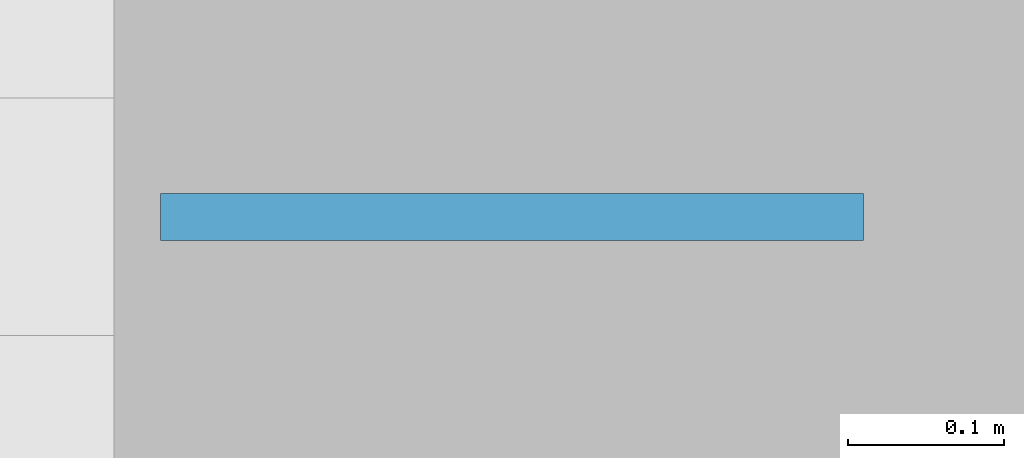
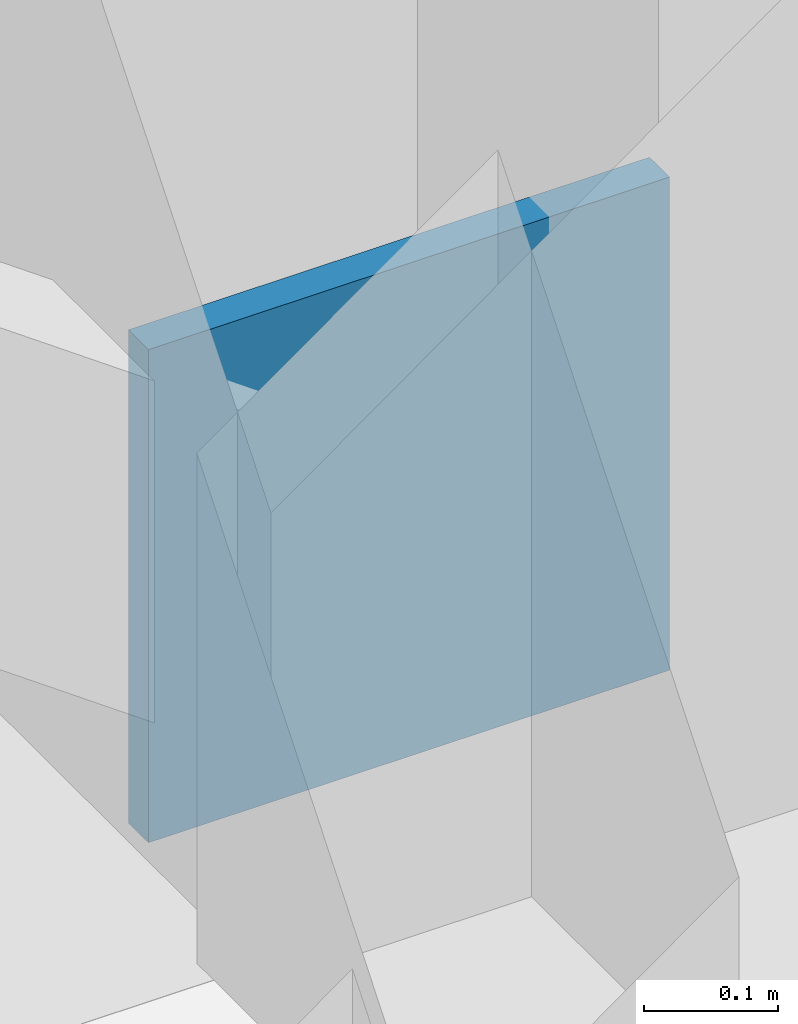
# One storey, part 11 of 24: 1 plate.
"""IFC4 building model written with IfcOpenShell, lengths in metres."""

from ifc_helpers import new_model, si_unit, direction, frame, origin, origin_2d, place, context, subcontext, project, spatial, rectangle, extrude, material, layer, layer_set, type_object, element, save


model = new_model("IFC4")

# Units and contexts
model_context = context("Model", 3, precision=1e-05, world=origin(), true_north=direction((0.0, 1.0)))
body_context = subcontext(model_context, "Body", "Model", "MODEL_VIEW")
ifc_project = project(units=[si_unit("LENGTHUNIT", "METRE"), si_unit("AREAUNIT", "SQUARE_METRE"), si_unit("VOLUMEUNIT", "CUBIC_METRE"), si_unit("PLANEANGLEUNIT", "RADIAN"), si_unit("MASSUNIT", "GRAM", prefix="KILO")], contexts=[model_context])

# Site, building, storey
site_placement = place(None, origin())
site = spatial("IfcSite", under=ifc_project, at=site_placement, CompositionType="ELEMENT")
building_placement = place(site_placement, origin())
building = spatial("IfcBuilding", under=site, at=building_placement, Name="Oolite Switchyard Hospital", CompositionType="ELEMENT")
storey_placement = place(building_placement, frame((0.0, 0.0, 22.0)))
storey = spatial("IfcBuildingStorey", under=building, at=storey_placement, Name="L05", CompositionType="ELEMENT", Elevation=22.0)

# Plate
ifc_material = material(Name="Steel ASTM A572 Grade 50", Category="steel")
ifc_layer = layer(ifc_material, 0.030029296875)
ifc_layer_set = layer_set([ifc_layer], Name="PLT-GUS-450")
plate_type = type_object("IfcPlateType", Name="PLT-GUS-450", PredefinedType="SHEET", material=ifc_layer_set)
plate_placement = place(storey_placement, frame((191.8798828125, 134.39990234375, -0.02490234375), z_axis=(0.0, 0.0, 1.0), x_axis=(1.0, 0.0, 0.0)))
element("IfcPlate", 1, at=plate_placement, inside=storey, type_object=plate_type, Name="L05 Brace Base Gusset Plate 83", PredefinedType="SHEET", context=body_context, shape_type="SweptSolid", body=[
    extrude(rectangle(XDim=0.449951171875, YDim=0.030029296875, at=origin_2d()), origin(), (0.0, 0.0, 1.0), 0.449951171875),
])

save(model, "model.ifc")
